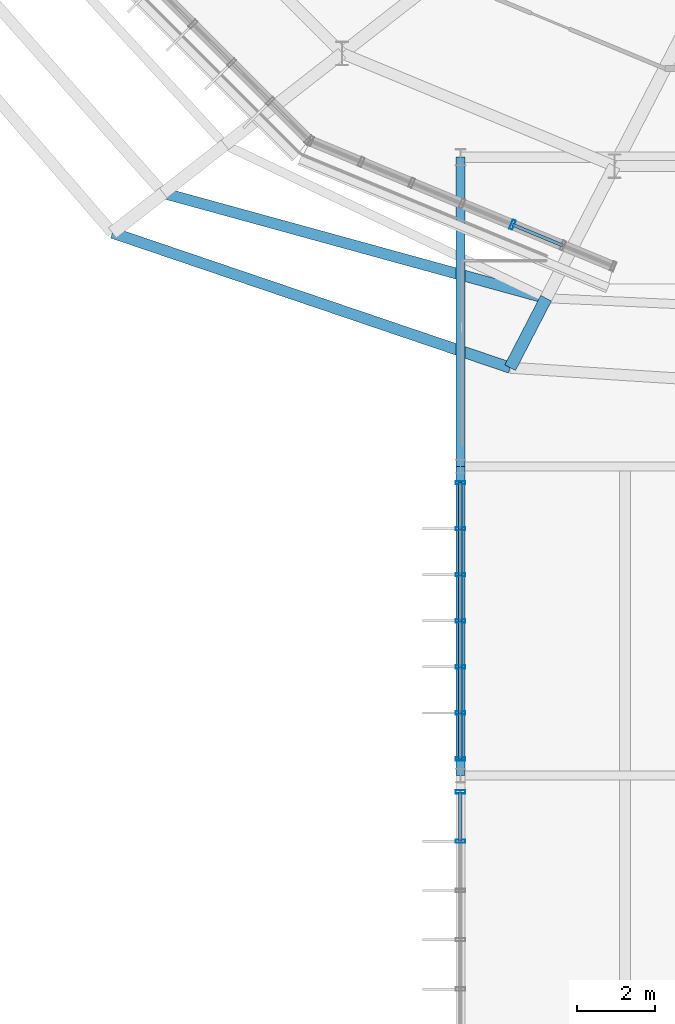
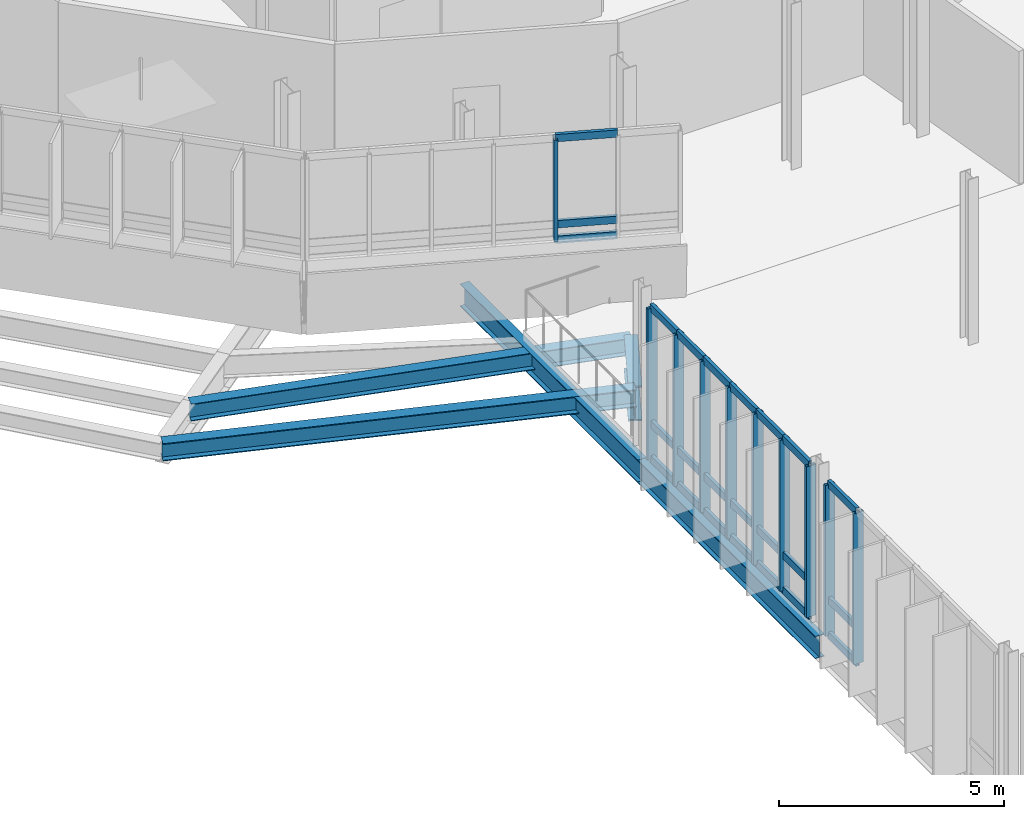
# One storey, part 24 of 139: 34 members, 5 beams, 3 elements without a shape of their own.
"""IFC4 building model written with IfcOpenShell, lengths in metres."""

from ifc_helpers import new_model, si_unit, derived_unit, direction, frame, origin, origin_2d, place, context, subcontext, project, spatial, hollow_rectangle, i_section, extrude, material, layer, layer_set, material_profile, profile_set, type_object, element, aggregate, save


model = new_model("IFC4")

# Units and contexts
model_context = context("Model", 3, precision=1e-05, world=origin(), true_north=direction((0.0, 1.0)))
body_context = subcontext(model_context, "Body", "Model", "MODEL_VIEW")
ifc_project = project(units=[si_unit("LENGTHUNIT", "METRE"), si_unit("AREAUNIT", "SQUARE_METRE"), si_unit("VOLUMEUNIT", "CUBIC_METRE"), si_unit("PLANEANGLEUNIT", "RADIAN"), si_unit("MASSUNIT", "GRAM", prefix="KILO"), derived_unit("THERMALTRANSMITTANCEUNIT", [(si_unit("MASSUNIT", "GRAM", prefix="KILO"), 1), (si_unit("TIMEUNIT", "SECOND"), -3), (si_unit("THERMODYNAMICTEMPERATUREUNIT", "KELVIN"), -1)])], contexts=[model_context])

# Site, building, storey
site_placement = place(None, origin())
site = spatial("IfcSite", under=ifc_project, at=site_placement, CompositionType="ELEMENT")
building_placement = place(site_placement, origin())
building = spatial("IfcBuilding", under=site, at=building_placement, Name="Makaiwela Harbour Ferry Terminal", CompositionType="ELEMENT")
storey_placement = place(building_placement, frame((0.0, 0.0, 5.10009765625)))
storey = spatial("IfcBuildingStorey", under=building, at=storey_placement, Name="L01", CompositionType="ELEMENT", Elevation=5.10009765625)

# Curtain wall, member
ifc_material_1 = material(Name="Marine anodised aluminium 6063-T6", Category="aluminium")
ifc_layer_1 = layer(ifc_material_1, 0.199951171875)
ifc_layer_set_1 = layer_set([ifc_layer_1], Name="Marine anodised aluminium 6063-T6")
curtain_wall_type_1 = type_object("IfcCurtainWallType", Name="ENV-CW-03", PredefinedType="USERDEFINED", material=ifc_layer_set_1)
curtain_wall_1_placement = place(storey_placement, origin())
curtain_wall_1 = element("IfcCurtainWall", 1, at=curtain_wall_1_placement, inside=storey, type_object=curtain_wall_type_1, Name="Unitised Curtain Wall CWA-017", ObjectType="UNITIZED CURTAIN WALL", PredefinedType="USERDEFINED")
ifc_material_profile_1 = material_profile(ifc_material_1, hollow_rectangle(XDim=0.0849609375, YDim=0.25, WallThickness=0.0048828125, at=origin_2d()), Name="CWM-250X85")
ifc_profile_set_1 = profile_set([ifc_material_profile_1], Name="Marine anodised aluminium 6063-T6")
member_type_1 = type_object("IfcMemberType", Name="CW-MUL-250", PredefinedType="MULLION", material=ifc_profile_set_1)
member_1_placement = place(storey_placement, frame((30.731201171875, 47.673828125, 1.47998046875), z_axis=(0.0, 0.0, 1.0), x_axis=(-0.923879532511, 0.382683432365, 0.0)))
member_1 = element("IfcMember", 2, at=member_1_placement, type_object=member_type_1, Name="Curtain Wall Mullion CWA-017-5", PredefinedType="MULLION", context=body_context, shape_type="SweptSolid", body=[
    extrude(hollow_rectangle(XDim=0.0849609375, YDim=0.25, WallThickness=0.0048828125, at=origin_2d()), origin(), (0.0, 0.0, 1.0), 2.760009765625),
])

# Curtain wall, members
ifc_layer_2 = layer(ifc_material_1, 0.199951171875)
ifc_layer_set_2 = layer_set([ifc_layer_2], Name="Marine anodised aluminium 6063-T6")
curtain_wall_type_2 = type_object("IfcCurtainWallType", Name="ENV-CW-08", PredefinedType="USERDEFINED", material=ifc_layer_set_2)
curtain_wall_2_placement = place(storey_placement, origin())
curtain_wall_2 = element("IfcCurtainWall", 3, at=curtain_wall_2_placement, inside=storey, type_object=curtain_wall_type_2, Name="Unitised Curtain Wall CWA-115", ObjectType="UNITIZED CURTAIN WALL", PredefinedType="USERDEFINED")
member_2_placement = place(storey_placement, frame((29.39990234375, 31.919921875, 0.0), z_axis=(0.0, 0.0, 1.0), x_axis=(0.0, 1.0, 0.0)))
member_2 = element("IfcMember", 4, at=member_2_placement, type_object=member_type_1, Name="Curtain Wall Mullion CWA-115-6", PredefinedType="MULLION", context=body_context, shape_type="SweptSolid", body=[
    extrude(hollow_rectangle(XDim=0.0849609375, YDim=0.25, WallThickness=0.0048828125, at=origin_2d()), origin(), (0.0, 0.0, 1.0), 4.099853515625),
])
member_3_placement = place(storey_placement, frame((29.39990234375, 33.179931640625, 0.0), z_axis=(0.0, 0.0, 1.0), x_axis=(0.0, 1.0, 0.0)))
member_3 = element("IfcMember", 5, at=member_3_placement, type_object=member_type_1, Name="Curtain Wall Mullion CWA-115-7", PredefinedType="MULLION", context=body_context, shape_type="SweptSolid", body=[
    extrude(hollow_rectangle(XDim=0.0849609375, YDim=0.25, WallThickness=0.0048828125, at=origin_2d()), origin(), (0.0, 0.0, 1.0), 4.099853515625),
])

ifc_layer_3 = layer(ifc_material_1, 0.199951171875)
ifc_layer_set_3 = layer_set([ifc_layer_3], Name="Marine anodised aluminium 6063-T6")
curtain_wall_type_3 = type_object("IfcCurtainWallType", Name="ENV-CW-13", PredefinedType="USERDEFINED", material=ifc_layer_set_3)
curtain_wall_3_placement = place(storey_placement, origin())
curtain_wall_3 = element("IfcCurtainWall", 6, at=curtain_wall_3_placement, inside=storey, type_object=curtain_wall_type_3, Name="Unitised Curtain Wall CWA-118", ObjectType="UNITIZED CURTAIN WALL", PredefinedType="USERDEFINED")
member_4_placement = place(storey_placement, frame((29.39990234375, 34.02001953125, 0.0), z_axis=(0.0, 0.0, 1.0), x_axis=(0.0, 1.0, 0.0)))
member_4 = element("IfcMember", 7, at=member_4_placement, type_object=member_type_1, Name="Curtain Wall Mullion CWA-118-1", PredefinedType="MULLION", context=body_context, shape_type="SweptSolid", body=[
    extrude(hollow_rectangle(XDim=0.0849609375, YDim=0.25, WallThickness=0.0048828125, at=origin_2d()), origin(), (0.0, 0.0, 1.0), 4.099853515625),
])
member_5_placement = place(storey_placement, frame((29.39990234375, 35.19677734375, 0.0), z_axis=(0.0, 0.0, 1.0), x_axis=(0.0, 1.0, 0.0)))
member_5 = element("IfcMember", 8, at=member_5_placement, type_object=member_type_1, Name="Curtain Wall Mullion CWA-118-2", PredefinedType="MULLION", context=body_context, shape_type="SweptSolid", body=[
    extrude(hollow_rectangle(XDim=0.0849609375, YDim=0.25, WallThickness=0.0048828125, at=origin_2d()), origin(), (0.0, 0.0, 1.0), 4.099853515625),
])
member_6_placement = place(storey_placement, frame((29.39990234375, 36.373291015625, 0.0), z_axis=(0.0, 0.0, 1.0), x_axis=(0.0, 1.0, 0.0)))
member_6 = element("IfcMember", 9, at=member_6_placement, type_object=member_type_1, Name="Curtain Wall Mullion CWA-118-3", PredefinedType="MULLION", context=body_context, shape_type="SweptSolid", body=[
    extrude(hollow_rectangle(XDim=0.0849609375, YDim=0.25, WallThickness=0.0048828125, at=origin_2d()), origin(), (0.0, 0.0, 1.0), 4.099853515625),
])
member_7_placement = place(storey_placement, frame((29.39990234375, 37.550048828125, 0.0), z_axis=(0.0, 0.0, 1.0), x_axis=(0.0, 1.0, 0.0)))
member_7 = element("IfcMember", 10, at=member_7_placement, type_object=member_type_1, Name="Curtain Wall Mullion CWA-118-4", PredefinedType="MULLION", context=body_context, shape_type="SweptSolid", body=[
    extrude(hollow_rectangle(XDim=0.0849609375, YDim=0.25, WallThickness=0.0048828125, at=origin_2d()), origin(), (0.0, 0.0, 1.0), 4.099853515625),
])
member_8_placement = place(storey_placement, frame((29.39990234375, 38.726806640625, 0.0), z_axis=(0.0, 0.0, 1.0), x_axis=(0.0, 1.0, 0.0)))
member_8 = element("IfcMember", 11, at=member_8_placement, type_object=member_type_1, Name="Curtain Wall Mullion CWA-118-5", PredefinedType="MULLION", context=body_context, shape_type="SweptSolid", body=[
    extrude(hollow_rectangle(XDim=0.0849609375, YDim=0.25, WallThickness=0.0048828125, at=origin_2d()), origin(), (0.0, 0.0, 1.0), 4.099853515625),
])
member_9_placement = place(storey_placement, frame((29.39990234375, 39.9033203125, 0.0), z_axis=(0.0, 0.0, 1.0), x_axis=(0.0, 1.0, 0.0)))
member_9 = element("IfcMember", 12, at=member_9_placement, type_object=member_type_1, Name="Curtain Wall Mullion CWA-118-6", PredefinedType="MULLION", context=body_context, shape_type="SweptSolid", body=[
    extrude(hollow_rectangle(XDim=0.0849609375, YDim=0.25, WallThickness=0.0048828125, at=origin_2d()), origin(), (0.0, 0.0, 1.0), 4.099853515625),
])
member_10_placement = place(storey_placement, frame((29.39990234375, 41.080078125, 0.0), z_axis=(0.0, 0.0, 1.0), x_axis=(0.0, 1.0, 0.0)))
member_10 = element("IfcMember", 13, at=member_10_placement, type_object=member_type_1, Name="Curtain Wall Mullion CWA-118-7", PredefinedType="MULLION", context=body_context, shape_type="SweptSolid", body=[
    extrude(hollow_rectangle(XDim=0.0849609375, YDim=0.25, WallThickness=0.0048828125, at=origin_2d()), origin(), (0.0, 0.0, 1.0), 4.099853515625),
])

# Member
ifc_material_profile_2 = material_profile(ifc_material_1, hollow_rectangle(XDim=0.0849609375, YDim=0.199951171875, WallThickness=0.0048828125, at=origin_2d()), Name="CWT-200X85")
ifc_profile_set_2 = profile_set([ifc_material_profile_2], Name="Marine anodised aluminium 6063-T6")
member_type_2 = type_object("IfcMemberType", Name="CW-TRN-200", PredefinedType="USERDEFINED", material=ifc_profile_set_2)
member_11_placement = place(storey_placement, frame((30.731201171875, 47.673828125, 1.47998046875), z_axis=(0.923893096707, -0.382650683858, 0.0), x_axis=(0.382650683858, 0.923893096707, 0.0)))
member_11 = element("IfcMember", 14, at=member_11_placement, type_object=member_type_2, Name="Curtain Wall Transom CWA-017-5-1", ObjectType="TRANSOM", PredefinedType="USERDEFINED", context=body_context, shape_type="SweptSolid", body=[
    extrude(hollow_rectangle(XDim=0.0849609375, YDim=0.199951171875, WallThickness=0.0048828125, at=origin_2d()), origin(), (0.0, 0.0, 1.0), 1.394775390625),
])

member_12_placement = place(storey_placement, frame((30.731201171875, 47.673828125, 1.89990234375), z_axis=(0.923893096707, -0.382650683858, 0.0), x_axis=(0.382650683858, 0.923893096707, 0.0)))
member_12 = element("IfcMember", 15, at=member_12_placement, type_object=member_type_2, Name="Curtain Wall Transom CWA-017-5-2", ObjectType="TRANSOM", PredefinedType="USERDEFINED", context=body_context, shape_type="SweptSolid", body=[
    extrude(hollow_rectangle(XDim=0.0849609375, YDim=0.199951171875, WallThickness=0.0048828125, at=origin_2d()), origin(), (0.0, 0.0, 1.0), 1.394775390625),
])

member_13_placement = place(storey_placement, frame((30.731201171875, 47.673828125, 4.239990234375), z_axis=(0.923893096707, -0.382650683858, 0.0), x_axis=(0.382650683858, 0.923893096707, 0.0)))
member_13 = element("IfcMember", 16, at=member_13_placement, type_object=member_type_2, Name="Curtain Wall Transom CWA-017-5-3", ObjectType="TRANSOM", PredefinedType="USERDEFINED", context=body_context, shape_type="SweptSolid", body=[
    extrude(hollow_rectangle(XDim=0.0849609375, YDim=0.199951171875, WallThickness=0.0048828125, at=origin_2d()), origin(), (0.0, 0.0, 1.0), 1.394775390625),
])

aggregate(curtain_wall_1, [member_1, member_11, member_12, member_13])

member_14_placement = place(storey_placement, frame((29.39990234375, 31.919921875, 0.0), z_axis=(0.0, 1.0, 0.0), x_axis=(-1.0, 0.0, 0.0)))
member_14 = element("IfcMember", 17, at=member_14_placement, type_object=member_type_2, Name="Curtain Wall Transom CWA-115-6-1", ObjectType="TRANSOM", PredefinedType="USERDEFINED", context=body_context, shape_type="SweptSolid", body=[
    extrude(hollow_rectangle(XDim=0.0849609375, YDim=0.199951171875, WallThickness=0.0048828125, at=origin_2d()), origin(), (0.0, 0.0, 1.0), 1.260009765625),
])

member_15_placement = place(storey_placement, frame((29.39990234375, 31.919921875, 0.949951171875), z_axis=(0.0, 1.0, 0.0), x_axis=(-1.0, 0.0, 0.0)))
member_15 = element("IfcMember", 18, at=member_15_placement, type_object=member_type_2, Name="Curtain Wall Transom CWA-115-6-2", ObjectType="TRANSOM", PredefinedType="USERDEFINED", context=body_context, shape_type="SweptSolid", body=[
    extrude(hollow_rectangle(XDim=0.0849609375, YDim=0.199951171875, WallThickness=0.0048828125, at=origin_2d()), origin(), (0.0, 0.0, 1.0), 1.260009765625),
])

member_16_placement = place(storey_placement, frame((29.39990234375, 31.919921875, 4.099853515625), z_axis=(0.0, 1.0, 0.0), x_axis=(-1.0, 0.0, 0.0)))
member_16 = element("IfcMember", 19, at=member_16_placement, type_object=member_type_2, Name="Curtain Wall Transom CWA-115-6-3", ObjectType="TRANSOM", PredefinedType="USERDEFINED", context=body_context, shape_type="SweptSolid", body=[
    extrude(hollow_rectangle(XDim=0.0849609375, YDim=0.199951171875, WallThickness=0.0048828125, at=origin_2d()), origin(), (0.0, 0.0, 1.0), 1.260009765625),
])

aggregate(curtain_wall_2, [member_2, member_3, member_14, member_15, member_16])

member_17_placement = place(storey_placement, frame((29.39990234375, 34.02001953125, 0.0), z_axis=(0.0, 1.0, 0.0), x_axis=(-1.0, 0.0, 0.0)))
member_17 = element("IfcMember", 20, at=member_17_placement, type_object=member_type_2, Name="Curtain Wall Transom CWA-118-1-1", ObjectType="TRANSOM", PredefinedType="USERDEFINED", context=body_context, shape_type="SweptSolid", body=[
    extrude(hollow_rectangle(XDim=0.0849609375, YDim=0.199951171875, WallThickness=0.0048828125, at=origin_2d()), origin(), (0.0, 0.0, 1.0), 1.1767578125),
])

member_18_placement = place(storey_placement, frame((29.39990234375, 34.02001953125, 0.949951171875), z_axis=(0.0, 1.0, 0.0), x_axis=(-1.0, 0.0, 0.0)))
member_18 = element("IfcMember", 21, at=member_18_placement, type_object=member_type_2, Name="Curtain Wall Transom CWA-118-1-2", ObjectType="TRANSOM", PredefinedType="USERDEFINED", context=body_context, shape_type="SweptSolid", body=[
    extrude(hollow_rectangle(XDim=0.0849609375, YDim=0.199951171875, WallThickness=0.0048828125, at=origin_2d()), origin(), (0.0, 0.0, 1.0), 1.1767578125),
])

member_19_placement = place(storey_placement, frame((29.39990234375, 34.02001953125, 4.099853515625), z_axis=(0.0, 1.0, 0.0), x_axis=(-1.0, 0.0, 0.0)))
member_19 = element("IfcMember", 22, at=member_19_placement, type_object=member_type_2, Name="Curtain Wall Transom CWA-118-1-3", ObjectType="TRANSOM", PredefinedType="USERDEFINED", context=body_context, shape_type="SweptSolid", body=[
    extrude(hollow_rectangle(XDim=0.0849609375, YDim=0.199951171875, WallThickness=0.0048828125, at=origin_2d()), origin(), (0.0, 0.0, 1.0), 1.1767578125),
])

member_20_placement = place(storey_placement, frame((29.39990234375, 35.19677734375, 0.0), z_axis=(0.0, 1.0, 0.0), x_axis=(-1.0, 0.0, 0.0)))
member_20 = element("IfcMember", 23, at=member_20_placement, type_object=member_type_2, Name="Curtain Wall Transom CWA-118-2-1", ObjectType="TRANSOM", PredefinedType="USERDEFINED", context=body_context, shape_type="SweptSolid", body=[
    extrude(hollow_rectangle(XDim=0.0849609375, YDim=0.199951171875, WallThickness=0.0048828125, at=origin_2d()), origin(), (0.0, 0.0, 1.0), 1.176513671875),
])

member_21_placement = place(storey_placement, frame((29.39990234375, 35.19677734375, 0.949951171875), z_axis=(0.0, 1.0, 0.0), x_axis=(-1.0, 0.0, 0.0)))
member_21 = element("IfcMember", 24, at=member_21_placement, type_object=member_type_2, Name="Curtain Wall Transom CWA-118-2-2", ObjectType="TRANSOM", PredefinedType="USERDEFINED", context=body_context, shape_type="SweptSolid", body=[
    extrude(hollow_rectangle(XDim=0.0849609375, YDim=0.199951171875, WallThickness=0.0048828125, at=origin_2d()), origin(), (0.0, 0.0, 1.0), 1.176513671875),
])

member_22_placement = place(storey_placement, frame((29.39990234375, 35.19677734375, 4.099853515625), z_axis=(0.0, 1.0, 0.0), x_axis=(-1.0, 0.0, 0.0)))
member_22 = element("IfcMember", 25, at=member_22_placement, type_object=member_type_2, Name="Curtain Wall Transom CWA-118-2-3", ObjectType="TRANSOM", PredefinedType="USERDEFINED", context=body_context, shape_type="SweptSolid", body=[
    extrude(hollow_rectangle(XDim=0.0849609375, YDim=0.199951171875, WallThickness=0.0048828125, at=origin_2d()), origin(), (0.0, 0.0, 1.0), 1.176513671875),
])

member_23_placement = place(storey_placement, frame((29.39990234375, 36.373291015625, 0.0), z_axis=(0.0, 1.0, 0.0), x_axis=(-1.0, 0.0, 0.0)))
member_23 = element("IfcMember", 26, at=member_23_placement, type_object=member_type_2, Name="Curtain Wall Transom CWA-118-3-1", ObjectType="TRANSOM", PredefinedType="USERDEFINED", context=body_context, shape_type="SweptSolid", body=[
    extrude(hollow_rectangle(XDim=0.0849609375, YDim=0.199951171875, WallThickness=0.0048828125, at=origin_2d()), origin(), (0.0, 0.0, 1.0), 1.1767578125),
])

member_24_placement = place(storey_placement, frame((29.39990234375, 36.373291015625, 0.949951171875), z_axis=(0.0, 1.0, 0.0), x_axis=(-1.0, 0.0, 0.0)))
member_24 = element("IfcMember", 27, at=member_24_placement, type_object=member_type_2, Name="Curtain Wall Transom CWA-118-3-2", ObjectType="TRANSOM", PredefinedType="USERDEFINED", context=body_context, shape_type="SweptSolid", body=[
    extrude(hollow_rectangle(XDim=0.0849609375, YDim=0.199951171875, WallThickness=0.0048828125, at=origin_2d()), origin(), (0.0, 0.0, 1.0), 1.1767578125),
])

member_25_placement = place(storey_placement, frame((29.39990234375, 36.373291015625, 4.099853515625), z_axis=(0.0, 1.0, 0.0), x_axis=(-1.0, 0.0, 0.0)))
member_25 = element("IfcMember", 28, at=member_25_placement, type_object=member_type_2, Name="Curtain Wall Transom CWA-118-3-3", ObjectType="TRANSOM", PredefinedType="USERDEFINED", context=body_context, shape_type="SweptSolid", body=[
    extrude(hollow_rectangle(XDim=0.0849609375, YDim=0.199951171875, WallThickness=0.0048828125, at=origin_2d()), origin(), (0.0, 0.0, 1.0), 1.1767578125),
])

member_26_placement = place(storey_placement, frame((29.39990234375, 37.550048828125, 0.0), z_axis=(0.0, 1.0, 0.0), x_axis=(-1.0, 0.0, 0.0)))
member_26 = element("IfcMember", 29, at=member_26_placement, type_object=member_type_2, Name="Curtain Wall Transom CWA-118-4-1", ObjectType="TRANSOM", PredefinedType="USERDEFINED", context=body_context, shape_type="SweptSolid", body=[
    extrude(hollow_rectangle(XDim=0.0849609375, YDim=0.199951171875, WallThickness=0.0048828125, at=origin_2d()), origin(), (0.0, 0.0, 1.0), 1.1767578125),
])

member_27_placement = place(storey_placement, frame((29.39990234375, 37.550048828125, 0.949951171875), z_axis=(0.0, 1.0, 0.0), x_axis=(-1.0, 0.0, 0.0)))
member_27 = element("IfcMember", 30, at=member_27_placement, type_object=member_type_2, Name="Curtain Wall Transom CWA-118-4-2", ObjectType="TRANSOM", PredefinedType="USERDEFINED", context=body_context, shape_type="SweptSolid", body=[
    extrude(hollow_rectangle(XDim=0.0849609375, YDim=0.199951171875, WallThickness=0.0048828125, at=origin_2d()), origin(), (0.0, 0.0, 1.0), 1.1767578125),
])

member_28_placement = place(storey_placement, frame((29.39990234375, 37.550048828125, 4.099853515625), z_axis=(0.0, 1.0, 0.0), x_axis=(-1.0, 0.0, 0.0)))
member_28 = element("IfcMember", 31, at=member_28_placement, type_object=member_type_2, Name="Curtain Wall Transom CWA-118-4-3", ObjectType="TRANSOM", PredefinedType="USERDEFINED", context=body_context, shape_type="SweptSolid", body=[
    extrude(hollow_rectangle(XDim=0.0849609375, YDim=0.199951171875, WallThickness=0.0048828125, at=origin_2d()), origin(), (0.0, 0.0, 1.0), 1.1767578125),
])

member_29_placement = place(storey_placement, frame((29.39990234375, 38.726806640625, 0.0), z_axis=(0.0, 1.0, 0.0), x_axis=(-1.0, 0.0, 0.0)))
member_29 = element("IfcMember", 32, at=member_29_placement, type_object=member_type_2, Name="Curtain Wall Transom CWA-118-5-1", ObjectType="TRANSOM", PredefinedType="USERDEFINED", context=body_context, shape_type="SweptSolid", body=[
    extrude(hollow_rectangle(XDim=0.0849609375, YDim=0.199951171875, WallThickness=0.0048828125, at=origin_2d()), origin(), (0.0, 0.0, 1.0), 1.176513671875),
])

member_30_placement = place(storey_placement, frame((29.39990234375, 38.726806640625, 0.949951171875), z_axis=(0.0, 1.0, 0.0), x_axis=(-1.0, 0.0, 0.0)))
member_30 = element("IfcMember", 33, at=member_30_placement, type_object=member_type_2, Name="Curtain Wall Transom CWA-118-5-2", ObjectType="TRANSOM", PredefinedType="USERDEFINED", context=body_context, shape_type="SweptSolid", body=[
    extrude(hollow_rectangle(XDim=0.0849609375, YDim=0.199951171875, WallThickness=0.0048828125, at=origin_2d()), origin(), (0.0, 0.0, 1.0), 1.176513671875),
])

member_31_placement = place(storey_placement, frame((29.39990234375, 38.726806640625, 4.099853515625), z_axis=(0.0, 1.0, 0.0), x_axis=(-1.0, 0.0, 0.0)))
member_31 = element("IfcMember", 34, at=member_31_placement, type_object=member_type_2, Name="Curtain Wall Transom CWA-118-5-3", ObjectType="TRANSOM", PredefinedType="USERDEFINED", context=body_context, shape_type="SweptSolid", body=[
    extrude(hollow_rectangle(XDim=0.0849609375, YDim=0.199951171875, WallThickness=0.0048828125, at=origin_2d()), origin(), (0.0, 0.0, 1.0), 1.176513671875),
])

member_32_placement = place(storey_placement, frame((29.39990234375, 39.9033203125, 0.0), z_axis=(0.0, 1.0, 0.0), x_axis=(-1.0, 0.0, 0.0)))
member_32 = element("IfcMember", 35, at=member_32_placement, type_object=member_type_2, Name="Curtain Wall Transom CWA-118-6-1", ObjectType="TRANSOM", PredefinedType="USERDEFINED", context=body_context, shape_type="SweptSolid", body=[
    extrude(hollow_rectangle(XDim=0.0849609375, YDim=0.199951171875, WallThickness=0.0048828125, at=origin_2d()), origin(), (0.0, 0.0, 1.0), 1.1767578125),
])

member_33_placement = place(storey_placement, frame((29.39990234375, 39.9033203125, 0.949951171875), z_axis=(0.0, 1.0, 0.0), x_axis=(-1.0, 0.0, 0.0)))
member_33 = element("IfcMember", 36, at=member_33_placement, type_object=member_type_2, Name="Curtain Wall Transom CWA-118-6-2", ObjectType="TRANSOM", PredefinedType="USERDEFINED", context=body_context, shape_type="SweptSolid", body=[
    extrude(hollow_rectangle(XDim=0.0849609375, YDim=0.199951171875, WallThickness=0.0048828125, at=origin_2d()), origin(), (0.0, 0.0, 1.0), 1.1767578125),
])

member_34_placement = place(storey_placement, frame((29.39990234375, 39.9033203125, 4.099853515625), z_axis=(0.0, 1.0, 0.0), x_axis=(-1.0, 0.0, 0.0)))
member_34 = element("IfcMember", 37, at=member_34_placement, type_object=member_type_2, Name="Curtain Wall Transom CWA-118-6-3", ObjectType="TRANSOM", PredefinedType="USERDEFINED", context=body_context, shape_type="SweptSolid", body=[
    extrude(hollow_rectangle(XDim=0.0849609375, YDim=0.199951171875, WallThickness=0.0048828125, at=origin_2d()), origin(), (0.0, 0.0, 1.0), 1.1767578125),
])

aggregate(curtain_wall_3, [member_4, member_5, member_6, member_7, member_8, member_9, member_10, member_17, member_18, member_19, member_20, member_21, member_22, member_23, member_24, member_25, member_26, member_27, member_28, member_29, member_30, member_31, member_32, member_33, member_34])

# Beams
ifc_material_2 = material(Name="Steel ASTM A992 Grade 50", Category="steel")
ifc_material_profile_3 = material_profile(ifc_material_2, i_section(OverallWidth=0.280029296875, OverallDepth=0.462890625, WebThickness=0.0107421875, FlangeThickness=0.017333984375, at=origin_2d()), Name="W18X76")
ifc_profile_set_3 = profile_set([ifc_material_profile_3], Name="Steel ASTM A992 Grade 50")
beam_type_1 = type_object("IfcBeamType", Name="STR-BM-W18X76", PredefinedType="BEAM", material=ifc_profile_set_3)
beam_1_placement = place(storey_placement, frame((21.806884765625, 48.48193359375, -0.51171875), z_axis=(0.96429916079, -0.264815272407, 0.0), x_axis=(0.264815272407, 0.96429916079, 0.0)))
element("IfcBeam", 38, at=beam_1_placement, inside=storey, type_object=beam_type_1, Name="Drum stage2 tie girder 97", PredefinedType="BEAM", context=body_context, shape_type="SweptSolid", body=[
    extrude(i_section(OverallWidth=0.280029296875, OverallDepth=0.462890625, WebThickness=0.0107421875, FlangeThickness=0.017333984375, at=origin_2d()), origin(), (0.0, 0.0, 1.0), 10.144775390625),
])
ifc_material_profile_4 = material_profile(ifc_material_2, i_section(OverallWidth=0.22900390625, OverallDepth=0.612060546875, WebThickness=0.011962890625, FlangeThickness=0.01953125, at=origin_2d()), Name="W24X84")
ifc_profile_set_4 = profile_set([ifc_material_profile_4], Name="Steel ASTM A992 Grade 50")
beam_type_2 = type_object("IfcBeamType", Name="STR-GRD-W24X84", PredefinedType="USERDEFINED", material=ifc_profile_set_4)
for number, where, z_axis, x_axis, name in (
    (39, (29.39990234375, 33.60009765625, -0.586181640625), (0.0, 1.0, 0.0), (-1.0, 0.0, 0.0), "Primary Y girder 908"),
    (40, (29.39990234375, 41.5, -0.586181640625), (0.0, 1.0, 0.0), (-1.0, 0.0, 0.0), "Primary Y girder 909"),
):
    element("IfcBeam", number, at=place(storey_placement, frame(where, z_axis=z_axis, x_axis=x_axis)), inside=storey, type_object=beam_type_2, Name=name, ObjectType="GIRDER", PredefinedType="USERDEFINED", context=body_context, shape_type="SweptSolid", body=[
        extrude(i_section(OverallWidth=0.22900390625, OverallDepth=0.612060546875, WebThickness=0.011962890625, FlangeThickness=0.01953125, at=origin_2d()), origin(), (0.0, 0.0, 1.0), 7.89990234375),
    ])
ifc_material_profile_5 = material_profile(ifc_material_2, i_section(OverallWidth=0.31005859375, OverallDepth=0.949951171875, WebThickness=0.0244140625, FlangeThickness=0.0439453125, at=origin_2d()), Name="W36X256")
ifc_profile_set_5 = profile_set([ifc_material_profile_5], Name="Steel ASTM A992 Grade 50")
beam_type_3 = type_object("IfcBeamType", Name="STR-GRD-W36X256", PredefinedType="USERDEFINED", material=ifc_profile_set_5)
beam_2_placement = place(storey_placement, frame((31.589599609375, 45.79541015625, -0.755126953125), z_axis=(-0.459329936396, -0.888265731372, 0.0), x_axis=(0.888265731372, -0.459329936396, 0.0)))
element("IfcBeam", 41, at=beam_2_placement, inside=storey, type_object=beam_type_3, Name="Drum overhang radial girder 65", ObjectType="GIRDER", PredefinedType="USERDEFINED", context=body_context, shape_type="SweptSolid", body=[
    extrude(i_section(OverallWidth=0.31005859375, OverallDepth=0.949951171875, WebThickness=0.0244140625, FlangeThickness=0.0439453125, at=origin_2d()), origin(), (0.0, 0.0, 1.0), 2.0),
])
ifc_material_profile_6 = material_profile(ifc_material_2, i_section(OverallWidth=0.283935546875, OverallDepth=0.47607421875, WebThickness=0.014892578125, FlangeThickness=0.02392578125, at=origin_2d()), Name="W18X106")
ifc_profile_set_6 = profile_set([ifc_material_profile_6], Name="Steel ASTM A992 Grade 50")
beam_type_4 = type_object("IfcBeamType", Name="STR-SPN-W18X106", PredefinedType="SPANDREL", material=ifc_profile_set_6)
beam_3_placement = place(storey_placement, frame((20.506591796875, 47.46630859375, -0.51806640625), z_axis=(0.947009716375, -0.321204914489, 0.0), x_axis=(0.321204914489, 0.947009716375, 0.0)))
element("IfcBeam", 42, at=beam_3_placement, inside=storey, type_object=beam_type_4, Name="Drum perimeter spandrel 110", PredefinedType="SPANDREL", context=body_context, shape_type="SweptSolid", body=[
    extrude(i_section(OverallWidth=0.283935546875, OverallDepth=0.47607421875, WebThickness=0.014892578125, FlangeThickness=0.02392578125, at=origin_2d()), origin(), (0.0, 0.0, 1.0), 10.733154296875),
])

save(model, "model.ifc")
